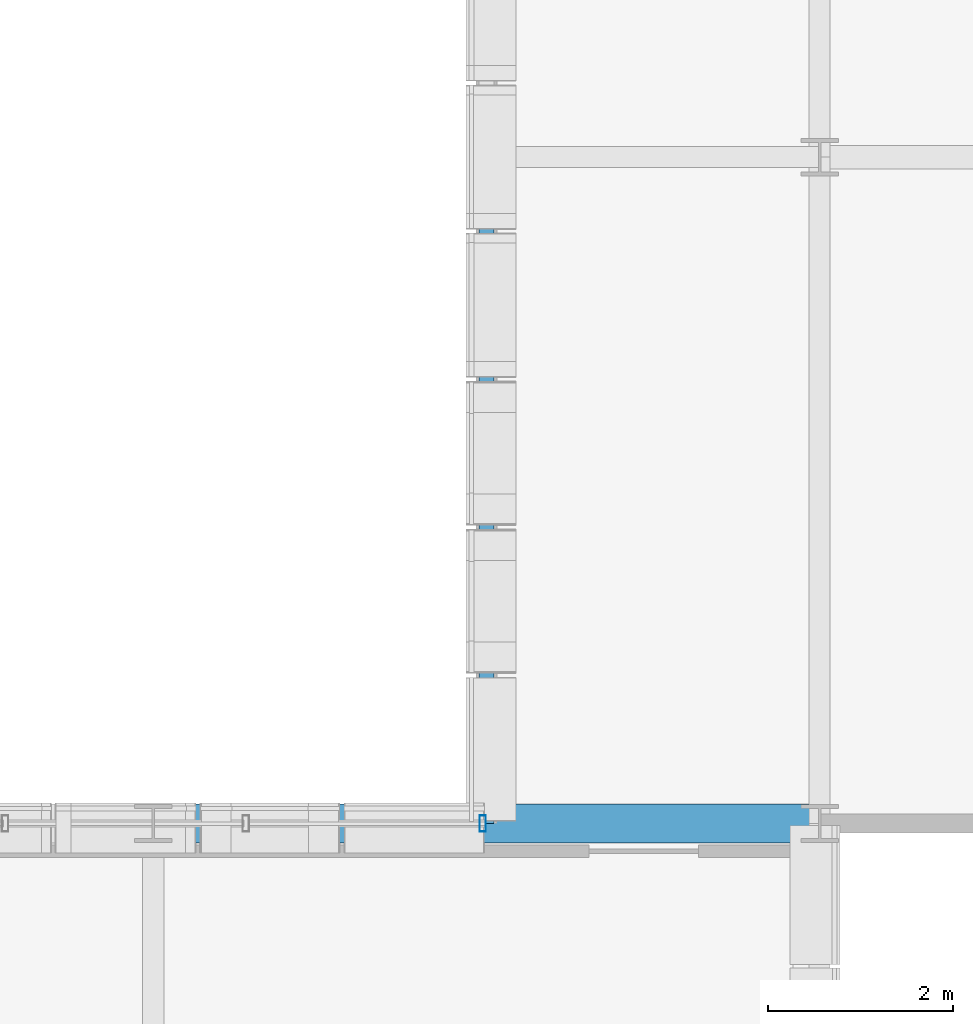
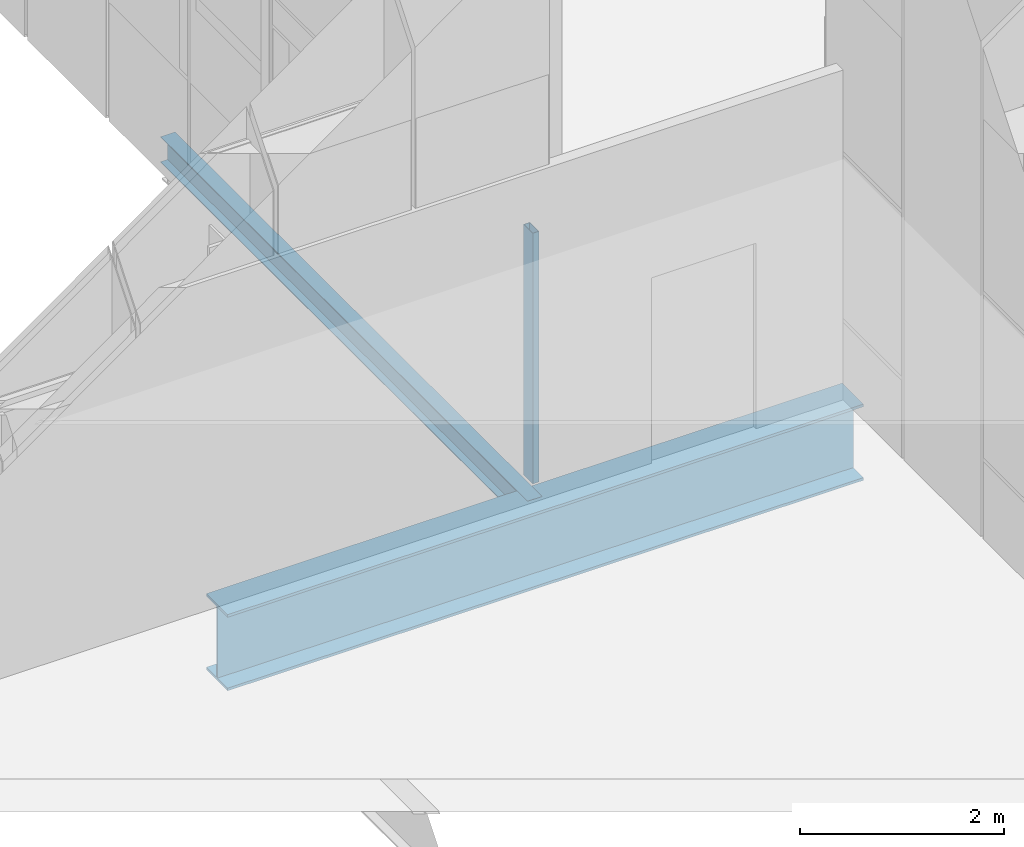
# One storey, part 18 of 144: 2 beams, 1 member, 1 element without a shape of its own.
"""IFC4 building model written with IfcOpenShell, lengths in metres."""

from ifc_helpers import new_model, si_unit, direction, frame, origin, origin_2d, place, context, subcontext, project, spatial, hollow_rectangle, i_section, extrude, material, material_profile, profile_set, type_object, element, aggregate, save


model = new_model("IFC4")

# Units and contexts
model_context = context("Model", 3, precision=1e-05, world=origin(), true_north=direction((0.0, 1.0)))
body_context = subcontext(model_context, "Body", "Model", "MODEL_VIEW")
ifc_project = project(units=[si_unit("LENGTHUNIT", "METRE"), si_unit("AREAUNIT", "SQUARE_METRE"), si_unit("VOLUMEUNIT", "CUBIC_METRE"), si_unit("PLANEANGLEUNIT", "RADIAN"), si_unit("MASSUNIT", "GRAM", prefix="KILO")], contexts=[model_context])

# Site, building, storey
site_placement = place(None, origin())
site = spatial("IfcSite", under=ifc_project, at=site_placement, CompositionType="ELEMENT")
building_placement = place(site_placement, origin())
building = spatial("IfcBuilding", under=site, at=building_placement, Name="Yarey Park Central Fire Station", CompositionType="ELEMENT")
storey_placement = place(building_placement, frame((0.0, 0.0, 10.199951171875)))
storey = spatial("IfcBuildingStorey", under=building, at=storey_placement, Name="L03", CompositionType="ELEMENT", Elevation=10.199951171875)

# Curtain wall, member
ifc_material_1 = material(Name="Anodized Aluminium Frame", Category="aluminium")
curtain_wall_type = type_object("IfcCurtainWallType", Name="ENV_CW_V3_OVR1", PredefinedType="NOTDEFINED", material=ifc_material_1)
curtain_wall_placement = place(storey_placement, origin())
curtain_wall = element("IfcCurtainWall", 1, at=curtain_wall_placement, inside=storey, type_object=curtain_wall_type, Name="CW_L03_DRUM_N_054", PredefinedType="NOTDEFINED")
ifc_material_profile_1 = material_profile(ifc_material_1, hollow_rectangle(XDim=0.070068359375, YDim=0.179931640625, WallThickness=0.00390625, at=origin_2d()), Name="ALU 180x70x4")
ifc_profile_set_1 = profile_set([ifc_material_profile_1], Name="Anodized Aluminium Frame")
member_type = type_object("IfcMemberType", Name="ENV_CW_MULLION", PredefinedType="MULLION", material=ifc_profile_set_1)
member_placement = place(storey_placement, frame((25.159912109375, 43.199951171875, 0.0), z_axis=(0.0, 0.0, 1.0), x_axis=(1.0, 0.0, 0.0)))
member = element("IfcMember", 2, at=member_placement, type_object=member_type, Name="CW_L03_DRUM_N_054_MUL1", PredefinedType="MULLION", context=body_context, shape_type="SweptSolid", body=[
    extrude(hollow_rectangle(XDim=0.070068359375, YDim=0.179931640625, WallThickness=0.00390625, at=origin_2d()), origin(), (0.0, 0.0, 1.0), 3.0),
])
aggregate(curtain_wall, [member])

# Beams
ifc_material_2 = material(Name="Steel ASTM A992 Gr. 50", Category="steel")
ifc_material_profile_2 = material_profile(ifc_material_2, i_section(OverallWidth=0.41796875, OverallDepth=0.912109375, WebThickness=0.019287109375, FlangeThickness=0.031982421875, at=origin_2d()), Name="W920x342")
ifc_profile_set_2 = profile_set([ifc_material_profile_2], Name="Steel ASTM A992 Gr. 50")
beam_type_1 = type_object("IfcBeamType", Name="STR_BM_W920", PredefinedType="BEAM", material=ifc_profile_set_2)
beam_1_placement = place(storey_placement, frame((21.60009765625, 43.199951171875, -0.716064453125), z_axis=(1.0, 0.0, 0.0), x_axis=(0.0, 1.0, 0.0)))
element("IfcBeam", 3, at=beam_1_placement, inside=storey, type_object=beam_type_1, Name="DRUM GIRD2 L03 Y432", PredefinedType="BEAM", context=body_context, shape_type="SweptSolid", body=[
    extrude(i_section(OverallWidth=0.41796875, OverallDepth=0.912109375, WebThickness=0.019287109375, FlangeThickness=0.031982421875, at=origin_2d()), origin(), (0.0, 0.0, 1.0), 7.199951171875),
])
ifc_material_profile_3 = material_profile(ifc_material_2, i_section(OverallWidth=0.1650390625, OverallDepth=0.31005859375, WebThickness=0.005859375, FlangeThickness=0.009765625, at=origin_2d()), Name="W310x39")
ifc_profile_set_3 = profile_set([ifc_material_profile_3], Name="Steel ASTM A992 Gr. 50")
beam_type_2 = type_object("IfcBeamType", Name="STR_SPN_W310", PredefinedType="SPANDREL", material=ifc_profile_set_3)
beam_2_placement = place(storey_placement, frame((25.199951171875, 43.199951171875, -0.4150390625), z_axis=(0.0, 1.0, 0.0), x_axis=(-1.0, 0.0, 0.0)))
element("IfcBeam", 4, at=beam_2_placement, inside=storey, type_object=beam_type_2, Name="WCANT EDG L03 Y432", PredefinedType="SPANDREL", context=body_context, shape_type="SweptSolid", body=[
    extrude(i_section(OverallWidth=0.1650390625, OverallDepth=0.31005859375, WebThickness=0.005859375, FlangeThickness=0.009765625, at=origin_2d()), origin(), (0.0, 0.0, 1.0), 7.199951171875),
])

save(model, "model.ifc")
